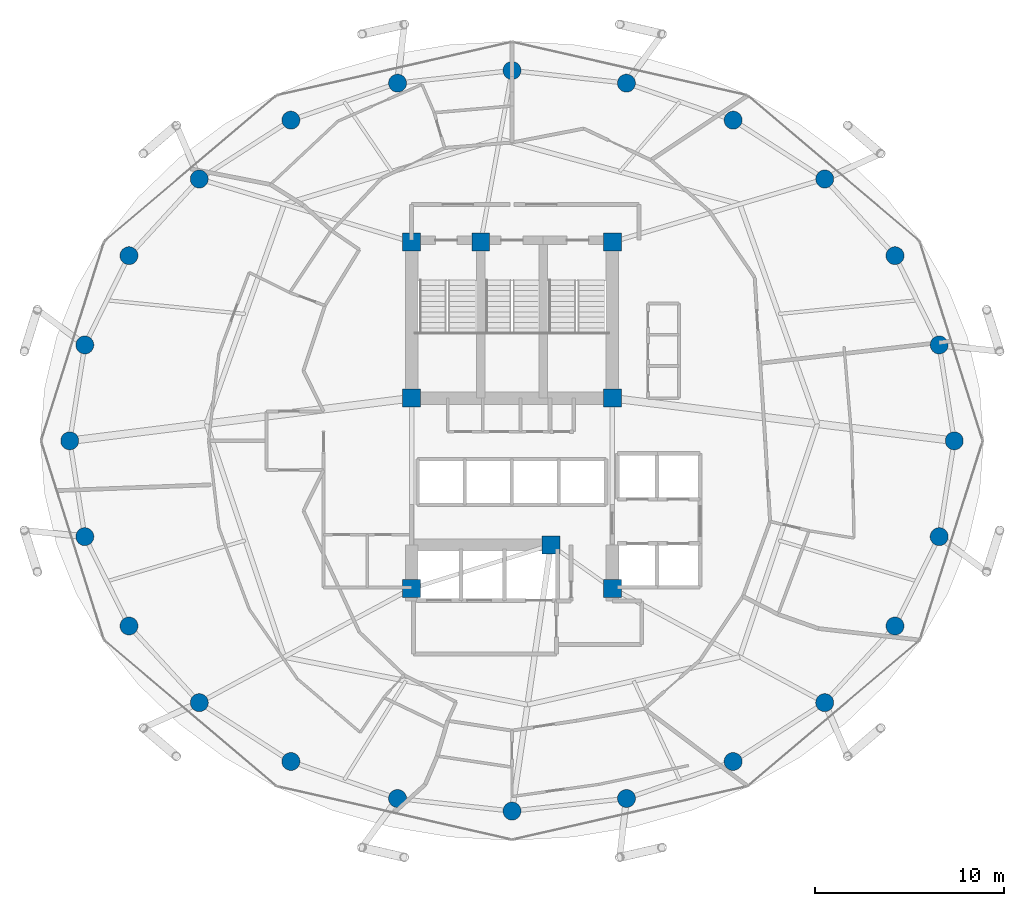
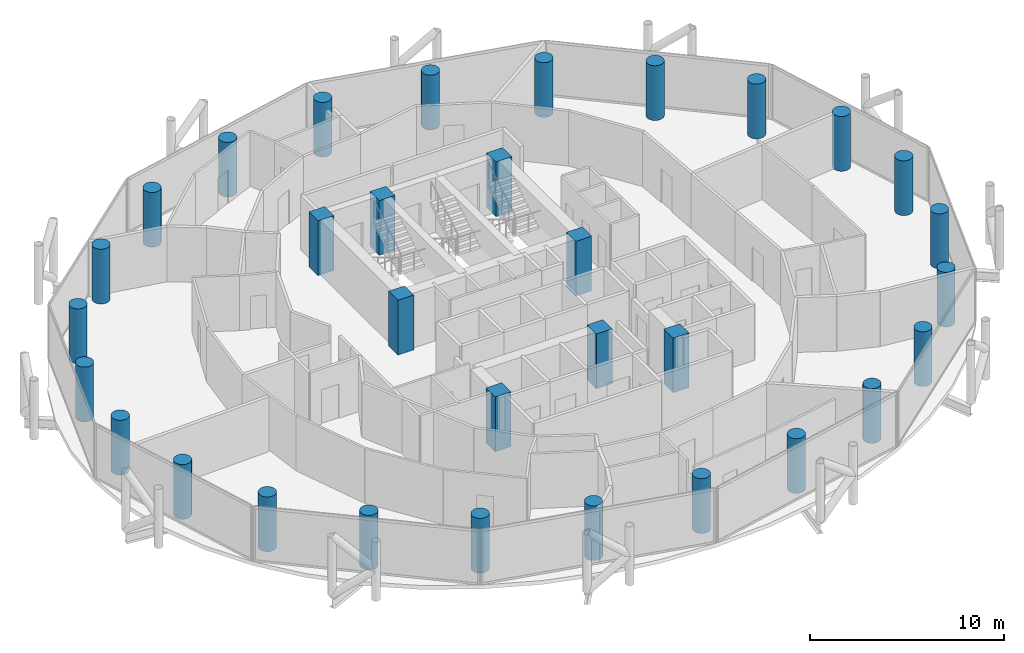
# One storey, part 1 of 26: 32 columns.
"""IFC4 building model written with IfcOpenShell, lengths in metres."""

from ifc_helpers import new_model, si_unit, direction, frame, origin, origin_2d, place, context, subcontext, project, spatial, rectangle, circle, extrude, material, material_profile, profile_set, type_object, element, save


model = new_model("IFC4")

# Units and contexts
model_context = context("Model", 3, precision=1e-05, world=origin(), true_north=direction((0.0, 1.0)))
body_context = subcontext(model_context, "Body", "Model", "MODEL_VIEW")
ifc_project = project(units=[si_unit("LENGTHUNIT", "METRE"), si_unit("AREAUNIT", "SQUARE_METRE"), si_unit("VOLUMEUNIT", "CUBIC_METRE"), si_unit("PLANEANGLEUNIT", "RADIAN"), si_unit("MASSUNIT", "GRAM", prefix="KILO")], contexts=[model_context])

# Site, building, storey
site_placement = place(None, origin())
site = spatial("IfcSite", under=ifc_project, at=site_placement, CompositionType="ELEMENT")
building_placement = place(site_placement, origin())
building = spatial("IfcBuilding", under=site, at=building_placement, Name="Nuhasar Tower", CompositionType="ELEMENT")
storey_placement = place(building_placement, frame((0.0, 0.0, 133.050048828125)))
storey = spatial("IfcBuildingStorey", under=building, at=storey_placement, Name="L31", CompositionType="ELEMENT", Elevation=133.050048828125)

# Columns
ifc_material = material(Name="Concrete C65/80", Category="concrete")
ifc_material_profile_1 = material_profile(ifc_material, circle(Radius=0.47509765625, at=origin_2d()), Name="CFT950")
ifc_profile_set_1 = profile_set([ifc_material_profile_1], Name="Concrete C65/80")
column_type_1 = type_object("IfcColumnType", Name="COL-CFT-950", PredefinedType="COLUMN", material=ifc_profile_set_1)
for number, where, z_axis, x_axis, name in (
    (1, (62.35009765625, 26.800048828125, 0.0), (0.0, 0.0, 1.0), (1.0, 0.0, 0.0), "L31 Perimeter Composite Column TC-01"),
    (2, (61.553955078125, 31.860107421875, 0.0), (0.0, 0.0, 1.0), (1.0, 0.0, 0.0), "L31 Perimeter Composite Column TC-02"),
    (3, (59.221923828125, 36.574951171875, 0.0), (0.0, 0.0, 1.0), (1.0, 0.0, 0.0), "L31 Perimeter Composite Column TC-03"),
    (4, (55.510986328125, 40.6240234375, 0.0), (0.0, 0.0, 1.0), (1.0, 0.0, 0.0), "L31 Perimeter Composite Column TC-04"),
    (5, (50.675048828125, 43.73095703125, 0.0), (0.0, 0.0, 1.0), (1.0, 0.0, 0.0), "L31 Perimeter Composite Column TC-05"),
    (6, (45.04296875, 45.68408203125, 0.0), (0.0, 0.0, 1.0), (1.0, 0.0, 0.0), "L31 Perimeter Composite Column TC-06"),
    (7, (39.0, 46.35009765625, 0.0), (0.0, 0.0, 1.0), (1.0, 0.0, 0.0), "L31 Perimeter Composite Column TC-07"),
    (8, (32.95703125, 45.68408203125, 0.0), (0.0, 0.0, 1.0), (1.0, 0.0, 0.0), "L31 Perimeter Composite Column TC-08"),
    (9, (27.324951171875, 43.73095703125, 0.0), (0.0, 0.0, 1.0), (1.0, 0.0, 0.0), "L31 Perimeter Composite Column TC-09"),
    (10, (22.489013671875, 40.6240234375, 0.0), (0.0, 0.0, 1.0), (1.0, 0.0, 0.0), "L31 Perimeter Composite Column TC-10"),
    (11, (18.778076171875, 36.574951171875, 0.0), (0.0, 0.0, 1.0), (1.0, 0.0, 0.0), "L31 Perimeter Composite Column TC-11"),
    (12, (16.446044921875, 31.860107421875, 0.0), (0.0, 0.0, 1.0), (1.0, 0.0, 0.0), "L31 Perimeter Composite Column TC-12"),
    (13, (15.64990234375, 26.800048828125, 0.0), (0.0, 0.0, 1.0), (1.0, 0.0, 0.0), "L31 Perimeter Composite Column TC-13"),
    (14, (16.446044921875, 21.739990234375, 0.0), (0.0, 0.0, 1.0), (1.0, 0.0, 0.0), "L31 Perimeter Composite Column TC-14"),
    (15, (18.778076171875, 17.02490234375, 0.0), (0.0, 0.0, 1.0), (1.0, 0.0, 0.0), "L31 Perimeter Composite Column TC-15"),
    (16, (22.489013671875, 12.97607421875, 0.0), (0.0, 0.0, 1.0), (1.0, 0.0, 0.0), "L31 Perimeter Composite Column TC-16"),
    (17, (27.324951171875, 9.868896484375, 0.0), (0.0, 0.0, 1.0), (1.0, 0.0, 0.0), "L31 Perimeter Composite Column TC-17"),
    (18, (32.95703125, 7.916015625, 0.0), (0.0, 0.0, 1.0), (1.0, 0.0, 0.0), "L31 Perimeter Composite Column TC-18"),
    (19, (39.0, 7.25, 0.0), (0.0, 0.0, 1.0), (1.0, 0.0, 0.0), "L31 Perimeter Composite Column TC-19"),
    (20, (45.04296875, 7.916015625, 0.0), (0.0, 0.0, 1.0), (1.0, 0.0, 0.0), "L31 Perimeter Composite Column TC-20"),
    (21, (50.675048828125, 9.868896484375, 0.0), (0.0, 0.0, 1.0), (1.0, 0.0, 0.0), "L31 Perimeter Composite Column TC-21"),
    (22, (55.510986328125, 12.97607421875, 0.0), (0.0, 0.0, 1.0), (1.0, 0.0, 0.0), "L31 Perimeter Composite Column TC-22"),
    (23, (59.221923828125, 17.02490234375, 0.0), (0.0, 0.0, 1.0), (1.0, 0.0, 0.0), "L31 Perimeter Composite Column TC-23"),
    (24, (61.553955078125, 21.739990234375, 0.0), (0.0, 0.0, 1.0), (1.0, 0.0, 0.0), "L31 Perimeter Composite Column TC-24"),
):
    element("IfcColumn", number, at=place(storey_placement, frame(where, z_axis=z_axis, x_axis=x_axis)), inside=storey, type_object=column_type_1, Name=name, PredefinedType="COLUMN", context=body_context, shape_type="SweptSolid", body=[
        extrude(circle(Radius=0.47509765625, at=origin_2d()), origin(), (0.0, 0.0, 1.0), 3.449951171875),
    ])
ifc_material_profile_2 = material_profile(ifc_material, rectangle(XDim=0.949951171875, YDim=0.949951171875, at=origin_2d()), Name="RC950X950")
ifc_profile_set_2 = profile_set([ifc_material_profile_2], Name="Concrete C65/80")
column_type_2 = type_object("IfcColumnType", Name="PIL-RC-950", PredefinedType="PILASTER", material=ifc_profile_set_2)
for number, where, z_axis, x_axis, name in (
    (25, (33.699951171875, 19.0, 0.0), (0.0, 0.0, 1.0), (1.0, 0.0, 0.0), "L31 Core Boundary Pilaster CC-01"),
    (26, (41.050048828125, 21.300048828125, 0.0), (0.0, 0.0, 1.0), (1.0, 0.0, 0.0), "L31 Core Boundary Pilaster CC-02"),
    (27, (44.300048828125, 19.0, 0.0), (0.0, 0.0, 1.0), (1.0, 0.0, 0.0), "L31 Core Boundary Pilaster CC-03"),
    (28, (44.300048828125, 29.050048828125, 0.0), (0.0, 0.0, 1.0), (1.0, 0.0, 0.0), "L31 Core Boundary Pilaster CC-04"),
    (29, (44.300048828125, 37.300048828125, 0.0), (0.0, 0.0, 1.0), (1.0, 0.0, 0.0), "L31 Core Boundary Pilaster CC-05"),
    (30, (37.35009765625, 37.300048828125, 0.0), (0.0, 0.0, 1.0), (1.0, 0.0, 0.0), "L31 Core Boundary Pilaster CC-06"),
    (31, (33.699951171875, 37.300048828125, 0.0), (0.0, 0.0, 1.0), (1.0, 0.0, 0.0), "L31 Core Boundary Pilaster CC-07"),
    (32, (33.699951171875, 29.050048828125, 0.0), (0.0, 0.0, 1.0), (1.0, 0.0, 0.0), "L31 Core Boundary Pilaster CC-08"),
):
    element("IfcColumn", number, at=place(storey_placement, frame(where, z_axis=z_axis, x_axis=x_axis)), inside=storey, type_object=column_type_2, Name=name, PredefinedType="PILASTER", context=body_context, shape_type="SweptSolid", body=[
        extrude(rectangle(XDim=0.949951171875, YDim=0.949951171875, at=origin_2d()), origin(), (0.0, 0.0, 1.0), 3.449951171875),
    ])

save(model, "model.ifc")
